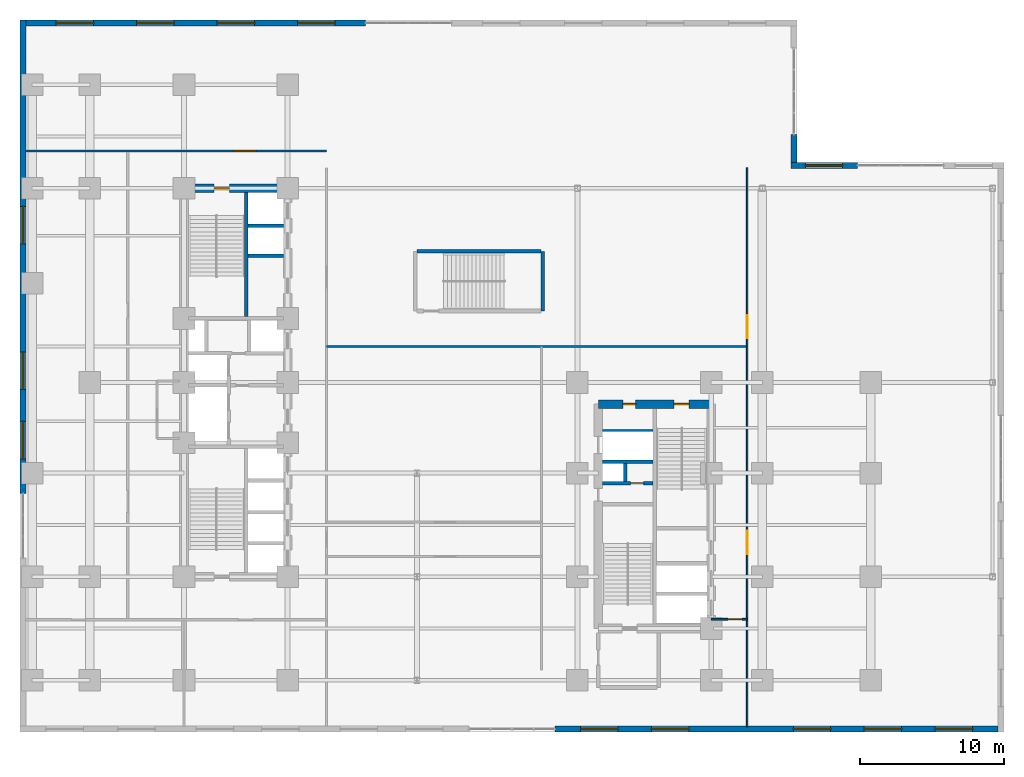
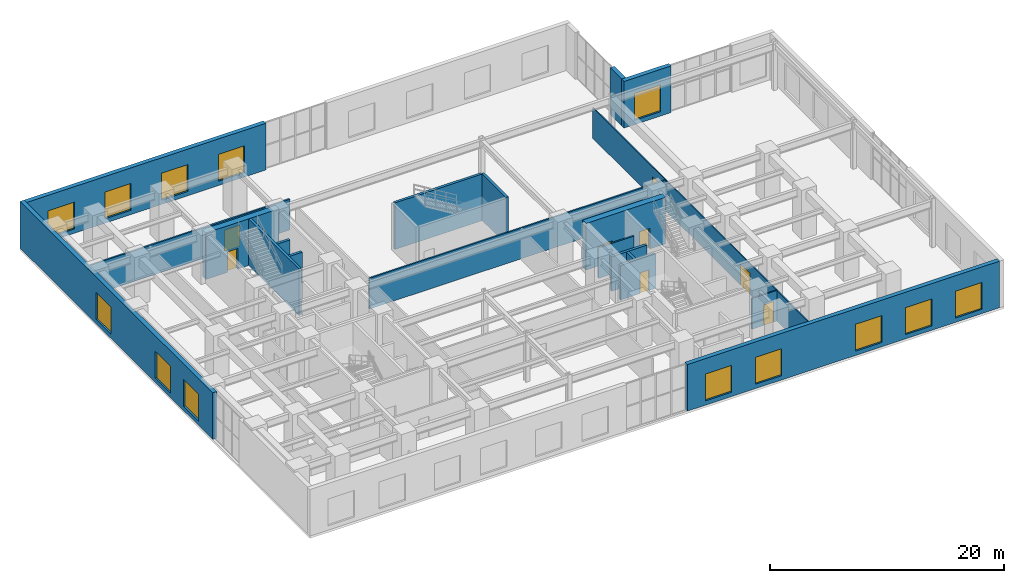
# One storey, part 19 of 23: 20 walls, 13 windows, 8 doors, 21 openings.
"""IFC4 building model written with IfcOpenShell, lengths in metres."""

from ifc_helpers import new_model, entity, si_unit, converted_unit, direction, frame, origin_with_axes, origin_2d_with_axis, place, context, subcontext, project, spatial, polyline, rectangle, outline, extrude, material, layer, layer_set, type_object, element, fill, save


model = new_model("IFC4")

# Units and contexts
model_context = context("Model", 3, precision=1e-05, world=origin_with_axes(), true_north=direction((0.0, 1.0)))
body_context = subcontext(model_context, "Body", "Model", "MODEL_VIEW")
ifc_project = project(units=[si_unit("LENGTHUNIT", "METRE"), si_unit("AREAUNIT", "SQUARE_METRE"), si_unit("VOLUMEUNIT", "CUBIC_METRE"), converted_unit("PLANEANGLEUNIT", "DEGREE", entity("IfcPlaneAngleMeasure", 0.017453292519943295), si_unit("PLANEANGLEUNIT", "RADIAN"), dimensions=[0, 0, 0, 0, 0, 0, 0]), si_unit("MASSUNIT", "GRAM", prefix="KILO"), si_unit("THERMODYNAMICTEMPERATUREUNIT", "KELVIN")], contexts=[model_context])

# Site, building, storey
site_placement = place(None, origin_with_axes())
site = spatial("IfcSite", under=ifc_project, at=site_placement, CompositionType="ELEMENT")
building_placement = place(site_placement, origin_with_axes())
building = spatial("IfcBuilding", under=site, at=building_placement, Name="Varnlund Millrace Tower", CompositionType="ELEMENT")
storey_placement = place(building_placement, frame((0.0, 0.0, 5.7), z_axis=(0.0, 0.0, 1.0), x_axis=(1.0, 0.0, 0.0)))
storey = spatial("IfcBuildingStorey", under=building, at=storey_placement, Name="L01", CompositionType="ELEMENT", Elevation=5.7)

# Wall, opening, door
ifc_material_1 = material(Name="Concrete C80/95", Category="concrete")
ifc_layer_1 = layer(ifc_material_1, 0.6, Name="Concrete C80/95")
ifc_layer_set_1 = layer_set([ifc_layer_1], Name="Concrete C80/95")
wall_type_1 = type_object("IfcWallType", Name="Type-CoreWall-Shear-600-C80", PredefinedType="SHEAR", material=ifc_layer_set_1)
wall_1_placement = place(storey_placement, frame((11.4, 37.8, 0.0), z_axis=(0.0, 0.0, 1.0), x_axis=(1.0, 0.0, 0.0)))
wall_1 = element("IfcWall", 1, at=wall_1_placement, inside=storey, type_object=wall_type_1, Name="Type-CoreWall-Shear-600-C80", PredefinedType="SHEAR", context=body_context, shape_type="SweptSolid", body=[
    extrude(outline(polyline([(0.0, -0.3), (7.2, -0.3), (7.2, 0.3), (0.0, 0.3), (0.0, -0.3)])), origin_with_axes(), (0.0, 0.0, 1.0), 4.86),
])
opening_1_placement = place(wall_1_placement, frame((2.625, 0.0, 0.0), z_axis=(0.0, 0.0, 1.0), x_axis=(1.0, 0.0, 0.0)))
opening_1 = element("IfcOpeningElement", 2, at=opening_1_placement, cuts=wall_1, Name="Opening L01:DR-STA2", PredefinedType="OPENING", context=body_context, shape_type="SweptSolid", body=[
    extrude(rectangle(XDim=1.05, YDim=0.62, at=origin_2d_with_axis()), origin_with_axes(), (0.0, 0.0, 1.0), 2.15),
])
ifc_material_2 = material(Name="Fire-rated hollow steel door", Category="steel")
door_type_1 = type_object("IfcDoorType", Name="Type-FireDoor-Stair-1050X2150", OperationType="NOTDEFINED", PredefinedType="DOOR", material=ifc_material_2)
door_1_placement = place(wall_1_placement, frame((2.625, 0.0, 0.0), z_axis=(0.0, 0.0, 1.0), x_axis=(1.0, 0.0, 0.0)))
door_1 = element("IfcDoor", 3, at=door_1_placement, inside=storey, type_object=door_type_1, Name="Type-FireDoor-Stair-1050X2150", OperationType="SINGLE_SWING_RIGHT", OverallHeight=2.15, OverallWidth=1.05, PredefinedType="DOOR", context=body_context, shape_type="SweptSolid", body=[
    extrude(rectangle(XDim=1.05, YDim=0.09, at=origin_2d_with_axis()), origin_with_axes(), (0.0, 0.0, 1.0), 2.15),
])
fill(opening_1, door_1)

# Wall, openings, doors
wall_2_placement = place(storey_placement, frame((40.2, 22.8, 0.0), z_axis=(0.0, 0.0, 1.0), x_axis=(1.0, 0.0, 0.0)))
wall_2 = element("IfcWall", 4, at=wall_2_placement, inside=storey, type_object=wall_type_1, Name="Type-CoreWall-Shear-600-C80", PredefinedType="SHEAR", context=body_context, shape_type="SweptSolid", body=[
    extrude(outline(polyline([(0.0, -0.3), (7.85, -0.3), (7.85, 0.3), (0.0, 0.3), (0.0, -0.3)])), origin_with_axes(), (0.0, 0.0, 1.0), 4.86),
])
opening_2_placement = place(wall_2_placement, frame((5.775, 0.0, 0.0), z_axis=(0.0, 0.0, 1.0), x_axis=(1.0, 0.0, 0.0)))
opening_2 = element("IfcOpeningElement", 5, at=opening_2_placement, cuts=wall_2, Name="Opening L01:DR-STB2", PredefinedType="OPENING", context=body_context, shape_type="SweptSolid", body=[
    extrude(rectangle(XDim=1.05, YDim=0.62, at=origin_2d_with_axis()), origin_with_axes(), (0.0, 0.0, 1.0), 2.15),
])
opening_3_placement = place(wall_2_placement, frame((2.15, 0.0, 0.0), z_axis=(0.0, 0.0, 1.0), x_axis=(1.0, 0.0, 0.0)))
opening_3 = element("IfcOpeningElement", 6, at=opening_3_placement, cuts=wall_2, Name="Opening L01:DR-CB-NW", PredefinedType="OPENING", context=body_context, shape_type="SweptSolid", body=[
    extrude(rectangle(XDim=0.9, YDim=0.62, at=origin_2d_with_axis()), origin_with_axes(), (0.0, 0.0, 1.0), 2.15),
])
ifc_material_3 = material(Name="Fire-rated hollow steel service closet door", Category="steel")
door_type_2 = type_object("IfcDoorType", Name="Type-FireDoor-Closet-900X2150", OperationType="NOTDEFINED", PredefinedType="DOOR", material=ifc_material_3)
door_2_placement = place(wall_2_placement, frame((2.15, 0.0, 0.0), z_axis=(0.0, 0.0, 1.0), x_axis=(1.0, 0.0, 0.0)))
door_2 = element("IfcDoor", 7, at=door_2_placement, inside=storey, type_object=door_type_2, Name="Type-FireDoor-Closet-900X2150", OperationType="SINGLE_SWING_LEFT", OverallHeight=2.15, OverallWidth=0.9, PredefinedType="DOOR", context=body_context, shape_type="SweptSolid", body=[
    extrude(rectangle(XDim=0.9, YDim=0.09, at=origin_2d_with_axis()), origin_with_axes(), (0.0, 0.0, 1.0), 2.15),
])
fill(opening_3, door_2)
door_3_placement = place(wall_2_placement, frame((5.775, 0.0, 0.0), z_axis=(0.0, 0.0, 1.0), x_axis=(1.0, 0.0, 0.0)))
door_3 = element("IfcDoor", 8, at=door_3_placement, inside=storey, type_object=door_type_1, Name="Type-FireDoor-Stair-1050X2150", OperationType="SINGLE_SWING_RIGHT", OverallHeight=2.15, OverallWidth=1.05, PredefinedType="DOOR", context=body_context, shape_type="SweptSolid", body=[
    extrude(rectangle(XDim=1.05, YDim=0.09, at=origin_2d_with_axis()), origin_with_axes(), (0.0, 0.0, 1.0), 2.15),
])
fill(opening_2, door_3)

# Wall, openings, windows
ifc_material_4 = material(Name="Precast concrete C50/60", Category="concrete")
ifc_layer_2 = layer(ifc_material_4, 0.42, Name="Precast concrete C50/60")
ifc_layer_set_2 = layer_set([ifc_layer_2], Name="Precast concrete C50/60")
wall_type_2 = type_object("IfcWallType", Name="Type-ExtWall-Precast-Pier-420", PredefinedType="SOLIDWALL", material=ifc_layer_set_2)
wall_3_placement = place(storey_placement, frame((67.98, 0.21, 0.0), z_axis=(0.0, 0.0, 1.0), x_axis=(-1.0, 0.0, 0.0)))
wall_3 = element("IfcWall", 9, at=wall_3_placement, inside=storey, type_object=wall_type_2, Name="Type-ExtWall-Precast-Pier-420", PredefinedType="SOLIDWALL", context=body_context, shape_type="SweptSolid", body=[
    extrude(outline(polyline([(0.0, -0.21), (30.78, -0.21), (30.78, 0.21), (0.0, 0.21), (0.0, -0.21)])), origin_with_axes(), (0.0, 0.0, 1.0), 4.86),
])
opening_4_placement = place(wall_3_placement, frame((3.065, 0.0, 0.45), z_axis=(0.0, 0.0, 1.0), x_axis=(1.0, 0.0, 0.0)))
opening_4 = element("IfcOpeningElement", 10, at=opening_4_placement, cuts=wall_3, Name="Opening L01:WN-01", PredefinedType="OPENING", context=body_context, shape_type="SweptSolid", body=[
    extrude(rectangle(XDim=2.6, YDim=0.44, at=origin_2d_with_axis()), origin_with_axes(), (0.0, 0.0, 1.0), 2.8),
])
opening_5_placement = place(wall_3_placement, frame((7.995, 0.0, 0.45), z_axis=(0.0, 0.0, 1.0), x_axis=(1.0, 0.0, 0.0)))
opening_5 = element("IfcOpeningElement", 11, at=opening_5_placement, cuts=wall_3, Name="Opening L01:WN-02", PredefinedType="OPENING", context=body_context, shape_type="SweptSolid", body=[
    extrude(rectangle(XDim=2.6, YDim=0.44, at=origin_2d_with_axis()), origin_with_axes(), (0.0, 0.0, 1.0), 2.8),
])
opening_6_placement = place(wall_3_placement, frame((12.925, 0.0, 0.45), z_axis=(0.0, 0.0, 1.0), x_axis=(1.0, 0.0, 0.0)))
opening_6 = element("IfcOpeningElement", 12, at=opening_6_placement, cuts=wall_3, Name="Opening L01:WN-03", PredefinedType="OPENING", context=body_context, shape_type="SweptSolid", body=[
    extrude(rectangle(XDim=2.6, YDim=0.44, at=origin_2d_with_axis()), origin_with_axes(), (0.0, 0.0, 1.0), 2.8),
])
opening_7_placement = place(wall_3_placement, frame((22.785, 0.0, 0.45), z_axis=(0.0, 0.0, 1.0), x_axis=(1.0, 0.0, 0.0)))
opening_7 = element("IfcOpeningElement", 13, at=opening_7_placement, cuts=wall_3, Name="Opening L01:WN-04", PredefinedType="OPENING", context=body_context, shape_type="SweptSolid", body=[
    extrude(rectangle(XDim=2.6, YDim=0.44, at=origin_2d_with_axis()), origin_with_axes(), (0.0, 0.0, 1.0), 2.8),
])
opening_8_placement = place(wall_3_placement, frame((27.715, 0.0, 0.45), z_axis=(0.0, 0.0, 1.0), x_axis=(1.0, 0.0, 0.0)))
opening_8 = element("IfcOpeningElement", 14, at=opening_8_placement, cuts=wall_3, Name="Opening L01:WN-05", PredefinedType="OPENING", context=body_context, shape_type="SweptSolid", body=[
    extrude(rectangle(XDim=2.6, YDim=0.44, at=origin_2d_with_axis()), origin_with_axes(), (0.0, 0.0, 1.0), 2.8),
])
ifc_material_5 = material(Name="Argon low-e triple glazing in thermally broken bronze frame", Category="glass")
window_type = type_object("IfcWindowType", Name="Type-Window-Podium-2600X2800", PartitioningType="SINGLE_PANEL", PredefinedType="WINDOW", material=ifc_material_5)
window_1_placement = place(wall_3_placement, frame((3.065, 0.0, 0.45), z_axis=(0.0, 0.0, 1.0), x_axis=(1.0, 0.0, 0.0)))
window_1 = element("IfcWindow", 15, at=window_1_placement, inside=storey, type_object=window_type, Name="Type-Window-Podium-2600X2800", OverallHeight=2.8, OverallWidth=2.6, PredefinedType="WINDOW", context=body_context, shape_type="SweptSolid", body=[
    extrude(rectangle(XDim=2.6, YDim=0.09, at=origin_2d_with_axis()), origin_with_axes(), (0.0, 0.0, 1.0), 2.8),
])
fill(opening_4, window_1)
window_2_placement = place(wall_3_placement, frame((7.995, 0.0, 0.45), z_axis=(0.0, 0.0, 1.0), x_axis=(1.0, 0.0, 0.0)))
window_2 = element("IfcWindow", 16, at=window_2_placement, inside=storey, type_object=window_type, Name="Type-Window-Podium-2600X2800", OverallHeight=2.8, OverallWidth=2.6, PredefinedType="WINDOW", context=body_context, shape_type="SweptSolid", body=[
    extrude(rectangle(XDim=2.6, YDim=0.09, at=origin_2d_with_axis()), origin_with_axes(), (0.0, 0.0, 1.0), 2.8),
])
fill(opening_5, window_2)
window_3_placement = place(wall_3_placement, frame((12.925, 0.0, 0.45), z_axis=(0.0, 0.0, 1.0), x_axis=(1.0, 0.0, 0.0)))
window_3 = element("IfcWindow", 17, at=window_3_placement, inside=storey, type_object=window_type, Name="Type-Window-Podium-2600X2800", OverallHeight=2.8, OverallWidth=2.6, PredefinedType="WINDOW", context=body_context, shape_type="SweptSolid", body=[
    extrude(rectangle(XDim=2.6, YDim=0.09, at=origin_2d_with_axis()), origin_with_axes(), (0.0, 0.0, 1.0), 2.8),
])
fill(opening_6, window_3)
window_4_placement = place(wall_3_placement, frame((22.785, 0.0, 0.45), z_axis=(0.0, 0.0, 1.0), x_axis=(1.0, 0.0, 0.0)))
window_4 = element("IfcWindow", 18, at=window_4_placement, inside=storey, type_object=window_type, Name="Type-Window-Podium-2600X2800", OverallHeight=2.8, OverallWidth=2.6, PredefinedType="WINDOW", context=body_context, shape_type="SweptSolid", body=[
    extrude(rectangle(XDim=2.6, YDim=0.09, at=origin_2d_with_axis()), origin_with_axes(), (0.0, 0.0, 1.0), 2.8),
])
fill(opening_7, window_4)
window_5_placement = place(wall_3_placement, frame((27.715, 0.0, 0.45), z_axis=(0.0, 0.0, 1.0), x_axis=(1.0, 0.0, 0.0)))
window_5 = element("IfcWindow", 19, at=window_5_placement, inside=storey, type_object=window_type, Name="Type-Window-Podium-2600X2800", OverallHeight=2.8, OverallWidth=2.6, PredefinedType="WINDOW", context=body_context, shape_type="SweptSolid", body=[
    extrude(rectangle(XDim=2.6, YDim=0.09, at=origin_2d_with_axis()), origin_with_axes(), (0.0, 0.0, 1.0), 2.8),
])
fill(opening_8, window_5)

wall_4_placement = place(storey_placement, frame((0.21, 16.6, 0.0), z_axis=(0.0, 0.0, 1.0), x_axis=(0.0, 1.0, 0.0)))
wall_4 = element("IfcWall", 20, at=wall_4_placement, inside=storey, type_object=wall_type_2, Name="Type-ExtWall-Precast-Pier-420", PredefinedType="SOLIDWALL", context=body_context, shape_type="SweptSolid", body=[
    extrude(outline(polyline([(0.0, -0.21), (32.9, -0.21), (32.9, 0.21), (0.0, 0.21), (0.0, -0.21)])), origin_with_axes(), (0.0, 0.0, 1.0), 4.86),
])
opening_9_placement = place(wall_4_placement, frame((3.692, 0.0, 0.45), z_axis=(0.0, 0.0, 1.0), x_axis=(1.0, 0.0, 0.0)))
opening_9 = element("IfcOpeningElement", 21, at=opening_9_placement, cuts=wall_4, Name="Opening L01:WN-12", PredefinedType="OPENING", context=body_context, shape_type="SweptSolid", body=[
    extrude(rectangle(XDim=2.6, YDim=0.44, at=origin_2d_with_axis()), origin_with_axes(), (0.0, 0.0, 1.0), 2.8),
])
opening_10_placement = place(wall_4_placement, frame((8.525, 0.0, 0.45), z_axis=(0.0, 0.0, 1.0), x_axis=(1.0, 0.0, 0.0)))
opening_10 = element("IfcOpeningElement", 22, at=opening_10_placement, cuts=wall_4, Name="Opening L01:WN-13", PredefinedType="OPENING", context=body_context, shape_type="SweptSolid", body=[
    extrude(rectangle(XDim=2.6, YDim=0.44, at=origin_2d_with_axis()), origin_with_axes(), (0.0, 0.0, 1.0), 2.8),
])
opening_11_placement = place(wall_4_placement, frame((18.642, 0.0, 0.45), z_axis=(0.0, 0.0, 1.0), x_axis=(1.0, 0.0, 0.0)))
opening_11 = element("IfcOpeningElement", 23, at=opening_11_placement, cuts=wall_4, Name="Opening L01:WN-14", PredefinedType="OPENING", context=body_context, shape_type="SweptSolid", body=[
    extrude(rectangle(XDim=2.6, YDim=0.44, at=origin_2d_with_axis()), origin_with_axes(), (0.0, 0.0, 1.0), 2.8),
])
window_6_placement = place(wall_4_placement, frame((3.692, 0.0, 0.45), z_axis=(0.0, 0.0, 1.0), x_axis=(1.0, 0.0, 0.0)))
window_6 = element("IfcWindow", 24, at=window_6_placement, inside=storey, type_object=window_type, Name="Type-Window-Podium-2600X2800", OverallHeight=2.8, OverallWidth=2.6, PredefinedType="WINDOW", context=body_context, shape_type="SweptSolid", body=[
    extrude(rectangle(XDim=2.6, YDim=0.09, at=origin_2d_with_axis()), origin_with_axes(), (0.0, 0.0, 1.0), 2.8),
])
fill(opening_9, window_6)
window_7_placement = place(wall_4_placement, frame((8.525, 0.0, 0.45), z_axis=(0.0, 0.0, 1.0), x_axis=(1.0, 0.0, 0.0)))
window_7 = element("IfcWindow", 25, at=window_7_placement, inside=storey, type_object=window_type, Name="Type-Window-Podium-2600X2800", OverallHeight=2.8, OverallWidth=2.6, PredefinedType="WINDOW", context=body_context, shape_type="SweptSolid", body=[
    extrude(rectangle(XDim=2.6, YDim=0.09, at=origin_2d_with_axis()), origin_with_axes(), (0.0, 0.0, 1.0), 2.8),
])
fill(opening_10, window_7)
window_8_placement = place(wall_4_placement, frame((18.642, 0.0, 0.45), z_axis=(0.0, 0.0, 1.0), x_axis=(1.0, 0.0, 0.0)))
window_8 = element("IfcWindow", 26, at=window_8_placement, inside=storey, type_object=window_type, Name="Type-Window-Podium-2600X2800", OverallHeight=2.8, OverallWidth=2.6, PredefinedType="WINDOW", context=body_context, shape_type="SweptSolid", body=[
    extrude(rectangle(XDim=2.6, YDim=0.09, at=origin_2d_with_axis()), origin_with_axes(), (0.0, 0.0, 1.0), 2.8),
])
fill(opening_11, window_8)

wall_5_placement = place(storey_placement, frame((0.42, 49.29, 0.0), z_axis=(0.0, 0.0, 1.0), x_axis=(1.0, 0.0, 0.0)))
wall_5 = element("IfcWall", 27, at=wall_5_placement, inside=storey, type_object=wall_type_2, Name="Type-ExtWall-Precast-Pier-420", PredefinedType="SOLIDWALL", context=body_context, shape_type="SweptSolid", body=[
    extrude(outline(polyline([(0.0, -0.21), (23.58, -0.21), (23.58, 0.21), (0.0, 0.21), (0.0, -0.21)])), origin_with_axes(), (0.0, 0.0, 1.0), 4.86),
])
opening_12_placement = place(wall_5_placement, frame((3.398, 0.0, 0.45), z_axis=(0.0, 0.0, 1.0), x_axis=(1.0, 0.0, 0.0)))
opening_12 = element("IfcOpeningElement", 28, at=opening_12_placement, cuts=wall_5, Name="Opening L01:WN-15", PredefinedType="OPENING", context=body_context, shape_type="SweptSolid", body=[
    extrude(rectangle(XDim=2.6, YDim=0.44, at=origin_2d_with_axis()), origin_with_axes(), (0.0, 0.0, 1.0), 2.8),
])
opening_13_placement = place(wall_5_placement, frame((8.992, 0.0, 0.45), z_axis=(0.0, 0.0, 1.0), x_axis=(1.0, 0.0, 0.0)))
opening_13 = element("IfcOpeningElement", 29, at=opening_13_placement, cuts=wall_5, Name="Opening L01:WN-16", PredefinedType="OPENING", context=body_context, shape_type="SweptSolid", body=[
    extrude(rectangle(XDim=2.6, YDim=0.44, at=origin_2d_with_axis()), origin_with_axes(), (0.0, 0.0, 1.0), 2.8),
])
opening_14_placement = place(wall_5_placement, frame((14.587, 0.0, 0.45), z_axis=(0.0, 0.0, 1.0), x_axis=(1.0, 0.0, 0.0)))
opening_14 = element("IfcOpeningElement", 30, at=opening_14_placement, cuts=wall_5, Name="Opening L01:WN-17", PredefinedType="OPENING", context=body_context, shape_type="SweptSolid", body=[
    extrude(rectangle(XDim=2.6, YDim=0.44, at=origin_2d_with_axis()), origin_with_axes(), (0.0, 0.0, 1.0), 2.8),
])
opening_15_placement = place(wall_5_placement, frame((20.183, 0.0, 0.45), z_axis=(0.0, 0.0, 1.0), x_axis=(1.0, 0.0, 0.0)))
opening_15 = element("IfcOpeningElement", 31, at=opening_15_placement, cuts=wall_5, Name="Opening L01:WN-18", PredefinedType="OPENING", context=body_context, shape_type="SweptSolid", body=[
    extrude(rectangle(XDim=2.6, YDim=0.44, at=origin_2d_with_axis()), origin_with_axes(), (0.0, 0.0, 1.0), 2.8),
])
window_9_placement = place(wall_5_placement, frame((3.398, 0.0, 0.45), z_axis=(0.0, 0.0, 1.0), x_axis=(1.0, 0.0, 0.0)))
window_9 = element("IfcWindow", 32, at=window_9_placement, inside=storey, type_object=window_type, Name="Type-Window-Podium-2600X2800", OverallHeight=2.8, OverallWidth=2.6, PredefinedType="WINDOW", context=body_context, shape_type="SweptSolid", body=[
    extrude(rectangle(XDim=2.6, YDim=0.09, at=origin_2d_with_axis()), origin_with_axes(), (0.0, 0.0, 1.0), 2.8),
])
fill(opening_12, window_9)
window_10_placement = place(wall_5_placement, frame((8.992, 0.0, 0.45), z_axis=(0.0, 0.0, 1.0), x_axis=(1.0, 0.0, 0.0)))
window_10 = element("IfcWindow", 33, at=window_10_placement, inside=storey, type_object=window_type, Name="Type-Window-Podium-2600X2800", OverallHeight=2.8, OverallWidth=2.6, PredefinedType="WINDOW", context=body_context, shape_type="SweptSolid", body=[
    extrude(rectangle(XDim=2.6, YDim=0.09, at=origin_2d_with_axis()), origin_with_axes(), (0.0, 0.0, 1.0), 2.8),
])
fill(opening_13, window_10)
window_11_placement = place(wall_5_placement, frame((14.587, 0.0, 0.45), z_axis=(0.0, 0.0, 1.0), x_axis=(1.0, 0.0, 0.0)))
window_11 = element("IfcWindow", 34, at=window_11_placement, inside=storey, type_object=window_type, Name="Type-Window-Podium-2600X2800", OverallHeight=2.8, OverallWidth=2.6, PredefinedType="WINDOW", context=body_context, shape_type="SweptSolid", body=[
    extrude(rectangle(XDim=2.6, YDim=0.09, at=origin_2d_with_axis()), origin_with_axes(), (0.0, 0.0, 1.0), 2.8),
])
fill(opening_14, window_11)
window_12_placement = place(wall_5_placement, frame((20.183, 0.0, 0.45), z_axis=(0.0, 0.0, 1.0), x_axis=(1.0, 0.0, 0.0)))
window_12 = element("IfcWindow", 35, at=window_12_placement, inside=storey, type_object=window_type, Name="Type-Window-Podium-2600X2800", OverallHeight=2.8, OverallWidth=2.6, PredefinedType="WINDOW", context=body_context, shape_type="SweptSolid", body=[
    extrude(rectangle(XDim=2.6, YDim=0.09, at=origin_2d_with_axis()), origin_with_axes(), (0.0, 0.0, 1.0), 2.8),
])
fill(opening_15, window_12)

# Wall
wall_6_placement = place(storey_placement, frame((53.79, 41.55, 0.0), z_axis=(0.0, 0.0, 1.0), x_axis=(0.0, -1.0, 0.0)))
element("IfcWall", 36, at=wall_6_placement, inside=storey, type_object=wall_type_2, Name="Type-ExtWall-Precast-Pier-420", PredefinedType="SOLIDWALL", context=body_context, shape_type="SweptSolid", body=[
    extrude(outline(polyline([(0.0, -0.21), (1.95, -0.21), (1.95, 0.21), (0.0, 0.21), (0.0, -0.21)])), origin_with_axes(), (0.0, 0.0, 1.0), 4.86),
])

# Wall, opening, window
wall_7_placement = place(storey_placement, frame((53.58, 39.39, 0.0), z_axis=(0.0, 0.0, 1.0), x_axis=(1.0, 0.0, 0.0)))
wall_7 = element("IfcWall", 37, at=wall_7_placement, inside=storey, type_object=wall_type_2, Name="Type-ExtWall-Precast-Pier-420", PredefinedType="SOLIDWALL", context=body_context, shape_type="SweptSolid", body=[
    extrude(outline(polyline([(0.0, -0.21), (4.62, -0.21), (4.62, 0.21), (0.0, 0.21), (0.0, -0.21)])), origin_with_axes(), (0.0, 0.0, 1.0), 4.86),
])
opening_16_placement = place(wall_7_placement, frame((2.31, 0.0, 0.45), z_axis=(0.0, 0.0, 1.0), x_axis=(1.0, 0.0, 0.0)))
opening_16 = element("IfcOpeningElement", 38, at=opening_16_placement, cuts=wall_7, Name="Opening L01:WN-23", PredefinedType="OPENING", context=body_context, shape_type="SweptSolid", body=[
    extrude(rectangle(XDim=2.6, YDim=0.44, at=origin_2d_with_axis()), origin_with_axes(), (0.0, 0.0, 1.0), 2.8),
])
window_13_placement = place(wall_7_placement, frame((2.31, 0.0, 0.45), z_axis=(0.0, 0.0, 1.0), x_axis=(1.0, 0.0, 0.0)))
window_13 = element("IfcWindow", 39, at=window_13_placement, inside=storey, type_object=window_type, Name="Type-Window-Podium-2600X2800", OverallHeight=2.8, OverallWidth=2.6, PredefinedType="WINDOW", context=body_context, shape_type="SweptSolid", body=[
    extrude(rectangle(XDim=2.6, YDim=0.09, at=origin_2d_with_axis()), origin_with_axes(), (0.0, 0.0, 1.0), 2.8),
])
fill(opening_16, window_13)

# Wall
ifc_material_6 = material(Name="Fire-rated gypsum board on cold-formed steel framing", Category="steel")
ifc_layer_3 = layer(ifc_material_6, 0.16, Name="Fire-rated gypsum board on cold-formed steel framing")
ifc_layer_set_3 = layer_set([ifc_layer_3], Name="Fire-rated gypsum board on cold-formed steel framing")
wall_type_3 = type_object("IfcWallType", Name="Type-Partition-Corridor-160", PredefinedType="PARTITIONING", material=ifc_layer_set_3)
wall_8_placement = place(storey_placement, frame((40.5, 20.96, 0.0), z_axis=(0.0, 0.0, 1.0), x_axis=(1.0, 0.0, 0.0)))
element("IfcWall", 40, at=wall_8_placement, inside=storey, type_object=wall_type_3, Name="Type-Partition-Corridor-160", PredefinedType="PARTITIONING", context=body_context, shape_type="SweptSolid", body=[
    extrude(outline(polyline([(0.0, -0.08), (3.5, -0.08), (3.5, 0.08), (0.0, 0.08), (0.0, -0.08)])), origin_with_axes(), (0.0, 0.0, 1.0), 3.2),
])

# Wall, opening, door
wall_9_placement = place(storey_placement, frame((0.38, 40.4, 0.0), z_axis=(0.0, 0.0, 1.0), x_axis=(1.0, 0.0, 0.0)))
wall_9 = element("IfcWall", 41, at=wall_9_placement, inside=storey, type_object=wall_type_3, Name="Type-Partition-Corridor-160", PredefinedType="PARTITIONING", context=body_context, shape_type="SweptSolid", body=[
    extrude(outline(polyline([(0.0, -0.08), (20.92, -0.08), (20.92, 0.08), (0.0, 0.08), (0.0, -0.08)])), origin_with_axes(), (0.0, 0.0, 1.0), 3.2),
])
opening_17_placement = place(wall_9_placement, frame((15.25, 0.0, 0.0), z_axis=(0.0, 0.0, 1.0), x_axis=(1.0, 0.0, 0.0)))
opening_17 = element("IfcOpeningElement", 42, at=opening_17_placement, cuts=wall_9, Name="Opening L01:DR-POD-NW", PredefinedType="OPENING", context=body_context, shape_type="SweptSolid", body=[
    extrude(rectangle(XDim=1.5, YDim=0.18, at=origin_2d_with_axis()), origin_with_axes(), (0.0, 0.0, 1.0), 2.2),
])
ifc_material_7 = material(Name="Architectural bronze and acoustic glass double door", Category="glass")
door_type_3 = type_object("IfcDoorType", Name="Type-IntDoor-SuitePair-1500X2200", OperationType="NOTDEFINED", PredefinedType="DOOR", material=ifc_material_7)
door_4_placement = place(wall_9_placement, frame((15.25, 0.0, 0.0), z_axis=(0.0, 0.0, 1.0), x_axis=(1.0, 0.0, 0.0)))
door_4 = element("IfcDoor", 43, at=door_4_placement, inside=storey, type_object=door_type_3, Name="Type-IntDoor-SuitePair-1500X2200", OperationType="DOUBLE_DOOR_SINGLE_SWING", OverallHeight=2.2, OverallWidth=1.5, PredefinedType="DOOR", context=body_context, shape_type="SweptSolid", body=[
    extrude(rectangle(XDim=1.5, YDim=0.09, at=origin_2d_with_axis()), origin_with_axes(), (0.0, 0.0, 1.0), 2.2),
])
fill(opening_17, door_4)

# Wall
ifc_material_8 = material(Name="Acoustic STC-50 gypsum board partition", Category="gypsum")
ifc_layer_4 = layer(ifc_material_8, 0.15, Name="Acoustic STC-50 gypsum board partition")
ifc_layer_set_4 = layer_set([ifc_layer_4], Name="Acoustic STC-50 gypsum board partition")
wall_type_4 = type_object("IfcWallType", Name="Type-Partition-Demising-150", PredefinedType="PARTITIONING", material=ifc_layer_set_4)
wall_10_placement = place(storey_placement, frame((21.3, 26.8, 0.0), z_axis=(0.0, 0.0, 1.0), x_axis=(1.0, 0.0, 0.0)))
element("IfcWall", 44, at=wall_10_placement, inside=storey, type_object=wall_type_4, Name="Type-Partition-Demising-150", PredefinedType="PARTITIONING", context=body_context, shape_type="SweptSolid", body=[
    extrude(outline(polyline([(0.0, -0.075), (29.25, -0.075), (29.25, 0.075), (0.0, 0.075), (0.0, -0.075)])), origin_with_axes(), (0.0, 0.0, 1.0), 3.2),
])

# Wall, openings, doors
ifc_material_9 = material(Name="Architectural bronze and acoustic glass office front", Category="glass")
ifc_layer_5 = layer(ifc_material_9, 0.1, Name="Architectural bronze and acoustic glass office front")
ifc_layer_set_5 = layer_set([ifc_layer_5], Name="Architectural bronze and acoustic glass office front")
wall_type_5 = type_object("IfcWallType", Name="Type-Partition-Glazed-100", PredefinedType="PARTITIONING", material=ifc_layer_set_5)
wall_11_placement = place(storey_placement, frame((50.55, 0.38, 0.0), z_axis=(0.0, 0.0, 1.0), x_axis=(0.0, 1.0, 0.0)))
wall_11 = element("IfcWall", 45, at=wall_11_placement, inside=storey, type_object=wall_type_5, Name="Type-Partition-Glazed-100", PredefinedType="PARTITIONING", context=body_context, shape_type="SweptSolid", body=[
    extrude(outline(polyline([(0.0, -0.05), (38.84, -0.05), (38.84, 0.05), (0.0, 0.05), (0.0, -0.05)])), origin_with_axes(), (0.0, 0.0, 1.0), 3.2),
])
opening_18_placement = place(wall_11_placement, frame((12.8, 0.0, 0.0), z_axis=(0.0, 0.0, 1.0), x_axis=(1.0, 0.0, 0.0)))
opening_18 = element("IfcOpeningElement", 46, at=opening_18_placement, cuts=wall_11, Name="Opening L01:DR-POD-RV1", PredefinedType="OPENING", context=body_context, shape_type="SweptSolid", body=[
    extrude(rectangle(XDim=1.6, YDim=0.12, at=origin_2d_with_axis()), origin_with_axes(), (0.0, 0.0, 1.0), 2.2),
])
opening_19_placement = place(wall_11_placement, frame((27.8, 0.0, 0.0), z_axis=(0.0, 0.0, 1.0), x_axis=(1.0, 0.0, 0.0)))
opening_19 = element("IfcOpeningElement", 47, at=opening_19_placement, cuts=wall_11, Name="Opening L01:DR-POD-RV2", PredefinedType="OPENING", context=body_context, shape_type="SweptSolid", body=[
    extrude(rectangle(XDim=1.6, YDim=0.12, at=origin_2d_with_axis()), origin_with_axes(), (0.0, 0.0, 1.0), 2.2),
])
ifc_material_10 = material(Name="Architectural bronze concourse double door")
door_type_4 = type_object("IfcDoorType", Name="Type-IntDoor-SuitePair-1600X2200", OperationType="NOTDEFINED", PredefinedType="DOOR", material=ifc_material_10)
door_5_placement = place(wall_11_placement, frame((12.8, 0.0, 0.0), z_axis=(0.0, 0.0, 1.0), x_axis=(1.0, 0.0, 0.0)))
door_5 = element("IfcDoor", 48, at=door_5_placement, inside=storey, type_object=door_type_4, Name="Type-IntDoor-SuitePair-1600X2200", OperationType="DOUBLE_DOOR_SINGLE_SWING", OverallHeight=2.2, OverallWidth=1.6, PredefinedType="DOOR", context=body_context, shape_type="SweptSolid", body=[
    extrude(rectangle(XDim=1.6, YDim=0.06, at=origin_2d_with_axis()), origin_with_axes(), (0.0, 0.0, 1.0), 2.2),
])
fill(opening_18, door_5)
door_6_placement = place(wall_11_placement, frame((27.8, 0.0, 0.0), z_axis=(0.0, 0.0, 1.0), x_axis=(1.0, 0.0, 0.0)))
door_6 = element("IfcDoor", 49, at=door_6_placement, inside=storey, type_object=door_type_4, Name="Type-IntDoor-SuitePair-1600X2200", OperationType="DOUBLE_DOOR_SINGLE_SWING", OverallHeight=2.2, OverallWidth=1.6, PredefinedType="DOOR", context=body_context, shape_type="SweptSolid", body=[
    extrude(rectangle(XDim=1.6, YDim=0.06, at=origin_2d_with_axis()), origin_with_axes(), (0.0, 0.0, 1.0), 2.2),
])
fill(opening_19, door_6)

# Wall, opening, door
ifc_material_11 = material(Name="Gypsum board tenant partition", Category="gypsum")
ifc_layer_6 = layer(ifc_material_11, 0.125, Name="Gypsum board tenant partition")
ifc_layer_set_6 = layer_set([ifc_layer_6], Name="Gypsum board tenant partition")
wall_type_6 = type_object("IfcWallType", Name="Type-Partition-Tenant-125", PredefinedType="PARTITIONING", material=ifc_layer_set_6)
wall_12_placement = place(storey_placement, frame((48.05, 7.85, 0.0), z_axis=(0.0, 0.0, 1.0), x_axis=(1.0, 0.0, 0.0)))
wall_12 = element("IfcWall", 50, at=wall_12_placement, inside=storey, type_object=wall_type_6, Name="Type-Partition-Tenant-125", PredefinedType="PARTITIONING", context=body_context, shape_type="SweptSolid", body=[
    extrude(outline(polyline([(0.0, -0.0625), (2.5, -0.0625), (2.5, 0.0625), (0.0, 0.0625), (0.0, -0.0625)])), origin_with_axes(), (0.0, 0.0, 1.0), 3.2),
])
opening_20_placement = place(wall_12_placement, frame((1.65, 0.0, 0.0), z_axis=(0.0, 0.0, 1.0), x_axis=(1.0, 0.0, 0.0)))
opening_20 = element("IfcOpeningElement", 51, at=opening_20_placement, cuts=wall_12, Name="Opening L01:DR-POD-BSR", PredefinedType="OPENING", context=body_context, shape_type="SweptSolid", body=[
    extrude(rectangle(XDim=1.0, YDim=0.145, at=origin_2d_with_axis()), origin_with_axes(), (0.0, 0.0, 1.0), 2.15),
])
ifc_material_12 = material(Name="Solid-core white oak and bronze frame door")
door_type_5 = type_object("IfcDoorType", Name="Type-IntDoor-Office-1000X2150", OperationType="NOTDEFINED", PredefinedType="DOOR", material=ifc_material_12)
door_7_placement = place(wall_12_placement, frame((1.65, 0.0, 0.0), z_axis=(0.0, 0.0, 1.0), x_axis=(1.0, 0.0, 0.0)))
door_7 = element("IfcDoor", 52, at=door_7_placement, inside=storey, type_object=door_type_5, Name="Type-IntDoor-Office-1000X2150", OperationType="SINGLE_SWING_LEFT", OverallHeight=2.15, OverallWidth=1.0, PredefinedType="DOOR", context=body_context, shape_type="SweptSolid", body=[
    extrude(rectangle(XDim=1.0, YDim=0.075, at=origin_2d_with_axis()), origin_with_axes(), (0.0, 0.0, 1.0), 2.15),
])
fill(opening_20, door_7)

ifc_material_13 = material(Name="Concrete C60/75", Category="concrete")
ifc_layer_7 = layer(ifc_material_13, 0.25, Name="Concrete C60/75")
ifc_layer_set_7 = layer_set([ifc_layer_7], Name="Concrete C60/75")
wall_type_7 = type_object("IfcWallType", Name="Type-ShaftWall-Fire-250", PredefinedType="SOLIDWALL", material=ifc_layer_set_7)
wall_13_placement = place(storey_placement, frame((40.5, 17.3, 0.0), z_axis=(0.0, 0.0, 1.0), x_axis=(1.0, 0.0, 0.0)))
wall_13 = element("IfcWall", 53, at=wall_13_placement, inside=storey, type_object=wall_type_7, Name="Type-ShaftWall-Fire-250", PredefinedType="SOLIDWALL", context=body_context, shape_type="SweptSolid", body=[
    extrude(outline(polyline([(0.0, -0.125), (3.5, -0.125), (3.5, 0.125), (0.0, 0.125), (0.0, -0.125)])), origin_with_axes(), (0.0, 0.0, 1.0), 3.6),
])
opening_21_placement = place(wall_13_placement, frame((2.4, 0.0, 0.0), z_axis=(0.0, 0.0, 1.0), x_axis=(1.0, 0.0, 0.0)))
opening_21 = element("IfcOpeningElement", 54, at=opening_21_placement, cuts=wall_13, Name="Opening L01:DR-CB-ELC", PredefinedType="OPENING", context=body_context, shape_type="SweptSolid", body=[
    extrude(rectangle(XDim=0.9, YDim=0.27, at=origin_2d_with_axis()), origin_with_axes(), (0.0, 0.0, 1.0), 2.15),
])
door_8_placement = place(wall_13_placement, frame((2.4, 0.0, 0.0), z_axis=(0.0, 0.0, 1.0), x_axis=(1.0, 0.0, 0.0)))
door_8 = element("IfcDoor", 55, at=door_8_placement, inside=storey, type_object=door_type_2, Name="Type-FireDoor-Closet-900X2150", OperationType="SINGLE_SWING_LEFT", OverallHeight=2.15, OverallWidth=0.9, PredefinedType="DOOR", context=body_context, shape_type="SweptSolid", body=[
    extrude(rectangle(XDim=0.9, YDim=0.09, at=origin_2d_with_axis()), origin_with_axes(), (0.0, 0.0, 1.0), 2.15),
])
fill(opening_21, door_8)

# Walls
wall_14_placement = place(storey_placement, frame((40.5, 18.8, 0.0), z_axis=(0.0, 0.0, 1.0), x_axis=(1.0, 0.0, 0.0)))
element("IfcWall", 56, at=wall_14_placement, inside=storey, type_object=wall_type_7, Name="Type-ShaftWall-Fire-250", PredefinedType="SOLIDWALL", context=body_context, shape_type="SweptSolid", body=[
    extrude(outline(polyline([(0.0, -0.125), (3.5, -0.125), (3.5, 0.125), (0.0, 0.125), (0.0, -0.125)])), origin_with_axes(), (0.0, 0.0, 1.0), 3.6),
])
wall_15_placement = place(storey_placement, frame((42.075, 17.43, 0.0), z_axis=(0.0, 0.0, 1.0), x_axis=(0.0, 1.0, 0.0)))
element("IfcWall", 57, at=wall_15_placement, inside=storey, type_object=wall_type_7, Name="Type-ShaftWall-Fire-250", PredefinedType="SOLIDWALL", context=body_context, shape_type="SweptSolid", body=[
    extrude(outline(polyline([(0.0, -0.125), (1.24, -0.125), (1.24, 0.125), (0.0, 0.125), (0.0, -0.125)])), origin_with_axes(), (0.0, 0.0, 1.0), 3.6),
])
for number, where, z_axis, x_axis, name in (
    (58, (15.84, 33.1, 0.0), (0.0, 0.0, 1.0), (1.0, 0.0, 0.0), "Type-ShaftWall-Fire-250"),
    (59, (15.84, 35.2, 0.0), (0.0, 0.0, 1.0), (1.0, 0.0, 0.0), "Type-ShaftWall-Fire-250"),
):
    element("IfcWall", number, at=place(storey_placement, frame(where, z_axis=z_axis, x_axis=x_axis)), inside=storey, type_object=wall_type_7, Name=name, PredefinedType="SOLIDWALL", context=body_context, shape_type="SweptSolid", body=[
        extrude(outline(polyline([(0.0, -0.125), (2.46, -0.125), (2.46, 0.125), (0.0, 0.125), (0.0, -0.125)])), origin_with_axes(), (0.0, 0.0, 1.0), 3.2),
    ])
wall_type_8 = type_object("IfcWallType", Name="Type-StairWall-Shear-250", PredefinedType="SHEAR", material=ifc_layer_set_7)
wall_16_placement = place(storey_placement, frame((15.725, 28.9, 0.0), z_axis=(0.0, 0.0, 1.0), x_axis=(0.0, 1.0, 0.0)))
element("IfcWall", 60, at=wall_16_placement, inside=storey, type_object=wall_type_8, Name="Type-StairWall-Shear-250", PredefinedType="SHEAR", context=body_context, shape_type="SweptSolid", body=[
    extrude(outline(polyline([(0.0, -0.125), (8.6, -0.125), (8.6, 0.125), (0.0, 0.125), (0.0, -0.125)])), origin_with_axes(), (0.0, 0.0, 1.0), 4.86),
])
wall_17_placement = place(storey_placement, frame((36.325, 29.275, 0.0), z_axis=(0.0, 0.0, 1.0), x_axis=(0.0, 1.0, 0.0)))
element("IfcWall", 61, at=wall_17_placement, inside=storey, type_object=wall_type_8, Name="Type-StairWall-Shear-250", PredefinedType="SHEAR", context=body_context, shape_type="SweptSolid", body=[
    extrude(outline(polyline([(0.0, -0.125), (4.15, -0.125), (4.15, 0.125), (0.0, 0.125), (0.0, -0.125)])), origin_with_axes(), (0.0, 0.0, 1.0), 4.86),
])
wall_18_placement = place(storey_placement, frame((27.6, 33.425, 0.0), z_axis=(0.0, 0.0, 1.0), x_axis=(1.0, 0.0, 0.0)))
element("IfcWall", 62, at=wall_18_placement, inside=storey, type_object=wall_type_8, Name="Type-StairWall-Shear-250", PredefinedType="SHEAR", context=body_context, shape_type="SweptSolid", body=[
    extrude(outline(polyline([(0.0, -0.125), (8.6, -0.125), (8.6, 0.125), (0.0, 0.125), (0.0, -0.125)])), origin_with_axes(), (0.0, 0.0, 1.0), 4.86),
])

save(model, "model.ifc")
